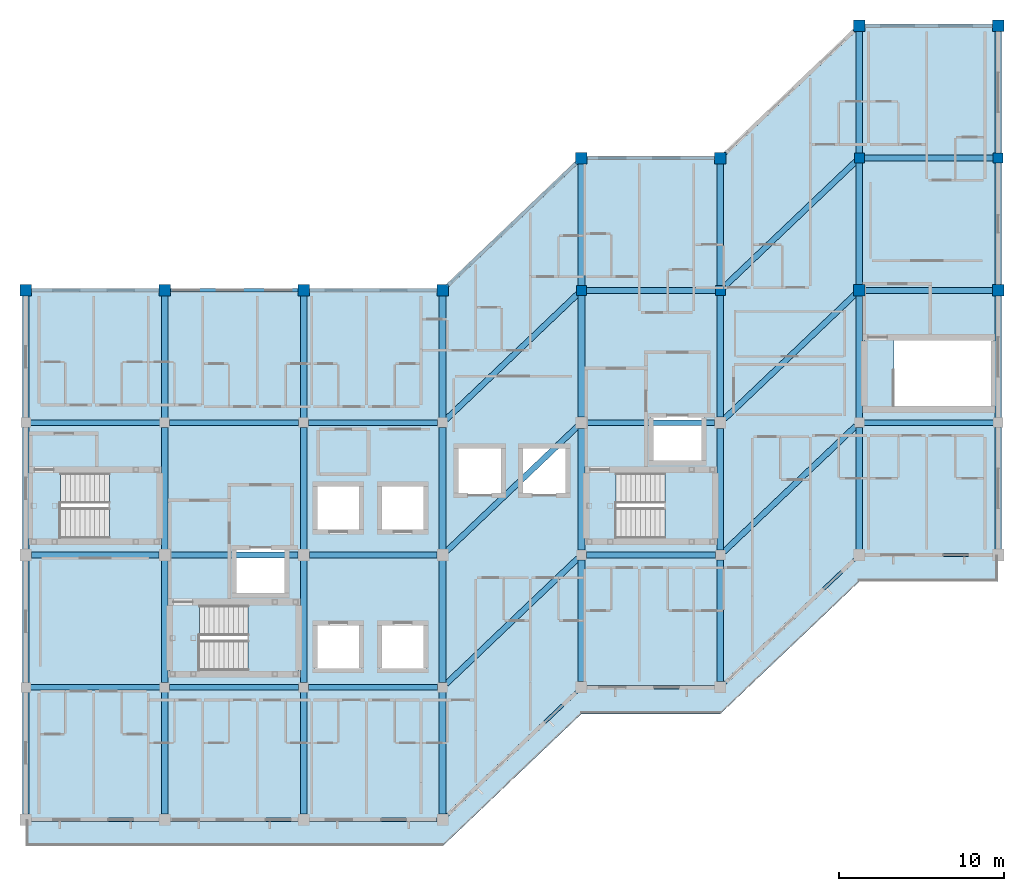
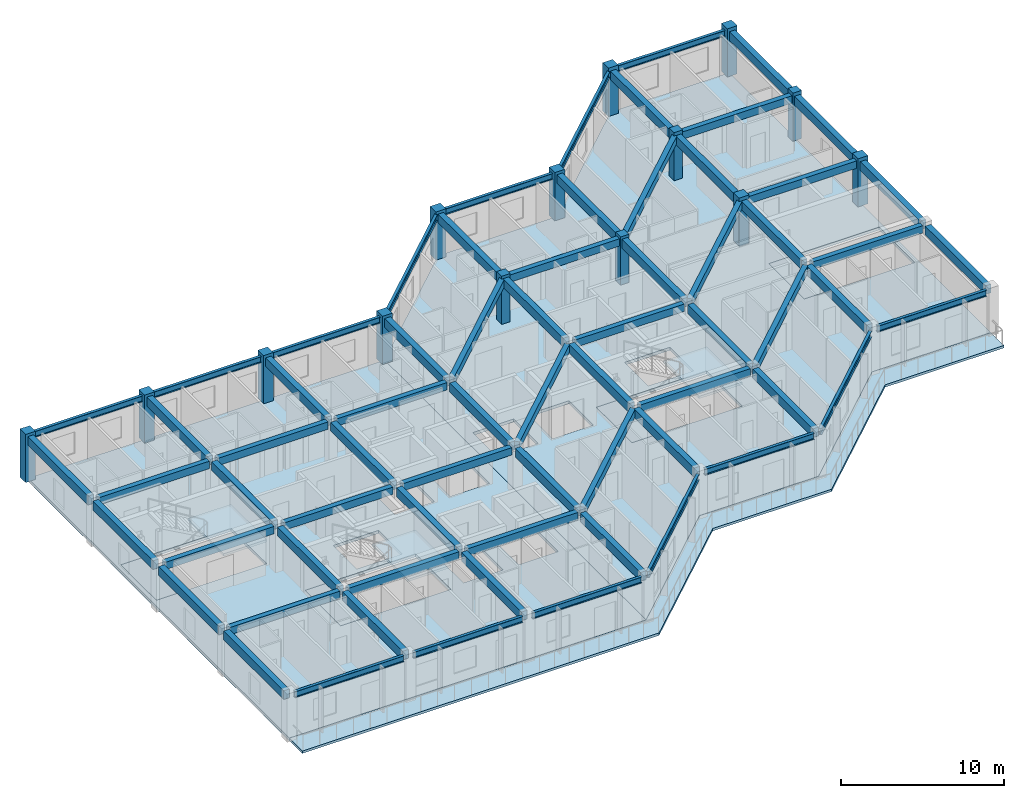
# One storey, part 3 of 15: 67 beams, 14 columns, 10 slabs, 3 elements without a shape of their own.
"""IFC4 building model written with IfcOpenShell, lengths in metres."""

from ifc_helpers import new_model, si_unit, direction, frame, origin, origin_2d, place, context, subcontext, project, spatial, polyline, rectangle, i_section, outline, extrude, material, layer, layer_set, material_profile, profile_set, type_object, element, aggregate, save


model = new_model("IFC4")

# Units and contexts
model_context = context("Model", 3, precision=1e-05, world=origin(), true_north=direction((0.0, 1.0)))
body_context = subcontext(model_context, "Body", "Model", "MODEL_VIEW")
ifc_project = project(units=[si_unit("LENGTHUNIT", "METRE"), si_unit("AREAUNIT", "SQUARE_METRE"), si_unit("VOLUMEUNIT", "CUBIC_METRE"), si_unit("PLANEANGLEUNIT", "RADIAN"), si_unit("MASSUNIT", "GRAM", prefix="KILO")], contexts=[model_context])

# Site, building, storey
site_placement = place(None, origin())
site = spatial("IfcSite", under=ifc_project, at=site_placement, CompositionType="ELEMENT")
building_placement = place(site_placement, origin())
building = spatial("IfcBuilding", under=site, at=building_placement, Name="Naruveol Harbour Congress Hotel", CompositionType="ELEMENT")
storey_placement = place(building_placement, frame((0.0, 0.0, 32.39990234375)))
storey = spatial("IfcBuildingStorey", under=building, at=storey_placement, Name="L07", CompositionType="ELEMENT", Elevation=32.39990234375)

# Columns
ifc_material_1 = material(Name="Concrete C40/50", Category="concrete")
ifc_material_profile_1 = material_profile(ifc_material_1, rectangle(XDim=0.699951171875, YDim=0.699951171875, at=origin_2d()), Name="RC-700x700")
ifc_profile_set_1 = profile_set([ifc_material_profile_1], Name="Concrete C40/50")
column_type_1 = type_object("IfcColumnType", Name="RC HOTEL COLUMN 700X700", PredefinedType="COLUMN", material=ifc_profile_set_1)
for number, where, z_axis, x_axis, name in (
    (1, (117.60009765625, 32.0, 0.0), (0.0, 0.0, 1.0), (1.0, 0.0, 0.0), "Column C-700 L07 (117.6,32.0)"),
    (2, (126.0, 32.0, 0.0), (0.0, 0.0, 1.0), (1.0, 0.0, 0.0), "Column C-700 L07 (126.0,32.0)"),
    (3, (134.39990234375, 32.0, 0.0), (0.0, 0.0, 1.0), (1.0, 0.0, 0.0), "Column C-700 L07 (134.4,32.0)"),
    (4, (142.800048828125, 32.0, 0.0), (0.0, 0.0, 1.0), (1.0, 0.0, 0.0), "Column C-700 L07 (142.8,32.0)"),
    (5, (151.199951171875, 40.0, 0.0), (0.0, 0.0, 1.0), (1.0, 0.0, 0.0), "Column C-700 L07 (151.2,40.0)"),
    (6, (159.60009765625, 40.0, 0.0), (0.0, 0.0, 1.0), (1.0, 0.0, 0.0), "Column C-700 L07 (159.6,40.0)"),
    (7, (168.0, 32.0, 0.0), (0.0, 0.0, 1.0), (1.0, 0.0, 0.0), "Column C-700 L07 (168.0,32.0)"),
    (8, (168.0, 48.0, 0.0), (0.0, 0.0, 1.0), (1.0, 0.0, 0.0), "Column C-700 L07 (168.0,48.0)"),
    (9, (176.39990234375, 32.0, 0.0), (0.0, 0.0, 1.0), (1.0, 0.0, 0.0), "Column C-700 L07 (176.4,32.0)"),
    (10, (176.39990234375, 48.0, 0.0), (0.0, 0.0, 1.0), (1.0, 0.0, 0.0), "Column C-700 L07 (176.4,48.0)"),
):
    element("IfcColumn", number, at=place(storey_placement, frame(where, z_axis=z_axis, x_axis=x_axis)), inside=storey, type_object=column_type_1, Name=name, PredefinedType="COLUMN", context=body_context, shape_type="SweptSolid", body=[
        extrude(rectangle(XDim=0.699951171875, YDim=0.699951171875, at=origin_2d()), origin(), (0.0, 0.0, 1.0), 3.60009765625),
    ])
ifc_material_2 = material(Name="Concrete C40/50", Category="concrete")
ifc_material_profile_2 = material_profile(ifc_material_2, rectangle(XDim=0.60009765625, YDim=0.60009765625, at=origin_2d()), Name="RC-600x600")
ifc_profile_set_2 = profile_set([ifc_material_profile_2], Name="Concrete C40/50")
column_type_2 = type_object("IfcColumnType", Name="RC UPPER COLUMN 600X600", PredefinedType="COLUMN", material=ifc_profile_set_2)
for number, where, z_axis, x_axis, name in (
    (11, (151.199951171875, 32.0, 0.0), (0.0, 0.0, 1.0), (1.0, 0.0, 0.0), "Planted hotel column C-600 L07 S4/J3"),
    (12, (159.60009765625, 32.0, 0.0), (0.0, 0.0, 1.0), (1.0, 0.0, 0.0), "Planted hotel column C-600 L07 S5/J3"),
    (13, (168.0, 40.0, 0.0), (0.0, 0.0, 1.0), (1.0, 0.0, 0.0), "Planted hotel column C-600 L07 S6/J3"),
    (14, (176.39990234375, 40.0, 0.0), (0.0, 0.0, 1.0), (1.0, 0.0, 0.0), "Planted hotel column C-600 L07 S7/J3"),
):
    element("IfcColumn", number, at=place(storey_placement, frame(where, z_axis=z_axis, x_axis=x_axis)), inside=storey, type_object=column_type_2, Name=name, PredefinedType="COLUMN", context=body_context, shape_type="SweptSolid", body=[
        extrude(rectangle(XDim=0.60009765625, YDim=0.60009765625, at=origin_2d()), origin(), (0.0, 0.0, 1.0), 3.60009765625),
    ])

# Beams
ifc_material_3 = material(Name="Concrete C40/50", Category="concrete")
ifc_material_profile_3 = material_profile(ifc_material_3, rectangle(XDim=0.39990234375, YDim=0.64990234375, at=origin_2d()), Name="RCB-400x650")
ifc_profile_set_3 = profile_set([ifc_material_profile_3], Name="Concrete C40/50")
beam_type_1 = type_object("IfcBeamType", Name="RC HOTEL BEAM 400X650", PredefinedType="BEAM", material=ifc_profile_set_3)
for number, where, z_axis, x_axis, name in (
    (15, (117.60009765625, 0.345947265625, 3.065185546875), (0.0, 1.0, 0.0), (-1.0, 0.0, 0.0), "Hotel transverse beam L08 CB4"),
    (16, (117.60009765625, 8.2958984375, 3.065185546875), (0.0, 1.0, 0.0), (-1.0, 0.0, 0.0), "Hotel transverse beam L08 CB4"),
    (17, (117.60009765625, 16.345947265625, 3.065185546875), (0.0, 1.0, 0.0), (-1.0, 0.0, 0.0), "Hotel transverse beam L08 CB4"),
    (18, (117.60009765625, 24.2958984375, 3.065185546875), (0.0, 1.0, 0.0), (-1.0, 0.0, 0.0), "Hotel transverse beam L08 CB4"),
    (19, (126.0, 0.345947265625, 3.065185546875), (0.0, 1.0, 0.0), (-1.0, 0.0, 0.0), "Hotel transverse beam L08 CB4"),
    (20, (126.0, 8.2958984375, 3.065185546875), (0.0, 1.0, 0.0), (-1.0, 0.0, 0.0), "Hotel transverse beam L08 CB4"),
    (21, (126.0, 16.345947265625, 3.065185546875), (0.0, 1.0, 0.0), (-1.0, 0.0, 0.0), "Hotel transverse beam L08 CB4"),
    (22, (126.0, 24.2958984375, 3.065185546875), (0.0, 1.0, 0.0), (-1.0, 0.0, 0.0), "Hotel transverse beam L08 CB4"),
    (23, (134.39990234375, 0.345947265625, 3.065185546875), (0.0, 1.0, 0.0), (-1.0, 0.0, 0.0), "Hotel transverse beam L08 CB4"),
    (24, (134.39990234375, 8.2958984375, 3.065185546875), (0.0, 1.0, 0.0), (-1.0, 0.0, 0.0), "Hotel transverse beam L08 CB4"),
    (25, (134.39990234375, 16.345947265625, 3.065185546875), (0.0, 1.0, 0.0), (-1.0, 0.0, 0.0), "Hotel transverse beam L08 CB4"),
    (26, (134.39990234375, 24.2958984375, 3.065185546875), (0.0, 1.0, 0.0), (-1.0, 0.0, 0.0), "Hotel transverse beam L08 CB4"),
    (27, (142.800048828125, 0.345947265625, 3.065185546875), (0.0, 1.0, 0.0), (-1.0, 0.0, 0.0), "Hotel transverse beam L08 CB4"),
    (28, (142.800048828125, 8.2958984375, 3.065185546875), (0.0, 1.0, 0.0), (-1.0, 0.0, 0.0), "Hotel transverse beam L08 CB4"),
    (29, (142.800048828125, 16.345947265625, 3.065185546875), (0.0, 1.0, 0.0), (-1.0, 0.0, 0.0), "Hotel transverse beam L08 CB4"),
    (30, (142.800048828125, 24.2958984375, 3.065185546875), (0.0, 1.0, 0.0), (-1.0, 0.0, 0.0), "Hotel transverse beam L08 CB4"),
    (31, (151.199951171875, 8.345947265625, 3.065185546875), (0.0, 1.0, 0.0), (-1.0, 0.0, 0.0), "Hotel transverse beam L08 CB4"),
    (32, (151.199951171875, 16.2958984375, 3.065185546875), (0.0, 1.0, 0.0), (-1.0, 0.0, 0.0), "Hotel transverse beam L08 CB4"),
    (33, (151.199951171875, 24.345947265625, 3.065185546875), (0.0, 1.0, 0.0), (-1.0, 0.0, 0.0), "Hotel transverse beam L08 CB4"),
    (34, (151.199951171875, 32.2958984375, 3.065185546875), (0.0, 1.0, 0.0), (-1.0, 0.0, 0.0), "Hotel transverse beam L08 CB4"),
    (35, (159.60009765625, 8.345947265625, 3.065185546875), (0.0, 1.0, 0.0), (-1.0, 0.0, 0.0), "Hotel transverse beam L08 CB4"),
    (36, (159.60009765625, 16.2958984375, 3.065185546875), (0.0, 1.0, 0.0), (-1.0, 0.0, 0.0), "Hotel transverse beam L08 CB4"),
    (37, (159.60009765625, 24.345947265625, 3.065185546875), (0.0, 1.0, 0.0), (-1.0, 0.0, 0.0), "Hotel transverse beam L08 CB4"),
    (38, (159.60009765625, 32.2958984375, 3.065185546875), (0.0, 1.0, 0.0), (-1.0, 0.0, 0.0), "Hotel transverse beam L08 CB4"),
    (39, (168.0, 16.345947265625, 3.01513671875), (0.0, 1.0, 0.0), (-1.0, 0.0, 0.0), "Hotel transverse beam L08 CB4"),
    (40, (168.0, 24.2958984375, 3.01513671875), (0.0, 1.0, 0.0), (-1.0, 0.0, 0.0), "Hotel transverse beam L08 CB4"),
    (41, (168.0, 32.345947265625, 3.01513671875), (0.0, 1.0, 0.0), (-1.0, 0.0, 0.0), "Hotel transverse beam L08 CB4"),
    (42, (168.0, 40.2958984375, 3.01513671875), (0.0, 1.0, 0.0), (-1.0, 0.0, 0.0), "Hotel transverse beam L08 CB4"),
    (43, (176.39990234375, 16.345947265625, 3.01513671875), (0.0, 1.0, 0.0), (-1.0, 0.0, 0.0), "Hotel transverse beam L08 CB4"),
    (44, (176.39990234375, 24.2958984375, 3.01513671875), (0.0, 1.0, 0.0), (-1.0, 0.0, 0.0), "Hotel transverse beam L08 CB4"),
    (45, (176.39990234375, 32.345947265625, 3.01513671875), (0.0, 1.0, 0.0), (-1.0, 0.0, 0.0), "Hotel transverse beam L08 CB4"),
    (46, (176.39990234375, 40.2958984375, 3.01513671875), (0.0, 1.0, 0.0), (-1.0, 0.0, 0.0), "Hotel transverse beam L08 CB4"),
):
    element("IfcBeam", number, at=place(storey_placement, frame(where, z_axis=z_axis, x_axis=x_axis)), inside=storey, type_object=beam_type_1, Name=name, PredefinedType="BEAM", context=body_context, shape_type="SweptSolid", body=[
        extrude(rectangle(XDim=0.39990234375, YDim=0.64990234375, at=origin_2d()), origin(), (0.0, 0.0, 1.0), 7.358154296875),
    ])
ifc_material_4 = material(Name="Concrete C40/50", Category="concrete")
ifc_material_profile_4 = material_profile(ifc_material_4, rectangle(XDim=0.35009765625, YDim=0.550048828125, at=origin_2d()), Name="RCB-350x550")
ifc_profile_set_4 = profile_set([ifc_material_profile_4], Name="Concrete C40/50")
beam_type_2 = type_object("IfcBeamType", Name="RC SECONDARY BEAM 350X550", PredefinedType="JOIST", material=ifc_profile_set_4)
beam_1_placement = place(storey_placement, frame((117.89599609375, 8.0, 3.114990234375), z_axis=(1.0, 0.0, 0.0), x_axis=(0.0, 1.0, 0.0)))
element("IfcBeam", 47, at=beam_1_placement, inside=storey, type_object=beam_type_2, Name="Hotel chord beam L08 CJ1", PredefinedType="JOIST", context=body_context, shape_type="SweptSolid", body=[
    extrude(rectangle(XDim=0.35009765625, YDim=0.550048828125, at=origin_2d()), origin(), (0.0, 0.0, 1.0), 7.80810546875),
])
beam_2_placement = place(storey_placement, frame((117.946044921875, 16.0, 3.114990234375), z_axis=(1.0, 0.0, 0.0), x_axis=(0.0, 1.0, 0.0)))
element("IfcBeam", 48, at=beam_2_placement, inside=storey, type_object=beam_type_2, Name="Hotel chord beam L08 CJ1", PredefinedType="JOIST", context=body_context, shape_type="SweptSolid", body=[
    extrude(rectangle(XDim=0.35009765625, YDim=0.550048828125, at=origin_2d()), origin(), (0.0, 0.0, 1.0), 7.7080078125),
])
for number, where, z_axis, x_axis, name in (
    (49, (117.89599609375, 24.0, 3.114990234375), (1.0, 0.0, 0.0), (0.0, 1.0, 0.0), "Hotel chord beam L08 CJ1"),
    (50, (126.2958984375, 8.0, 3.114990234375), (1.0, 0.0, 0.0), (0.0, 1.0, 0.0), "Hotel chord beam L08 CJ1"),
):
    element("IfcBeam", number, at=place(storey_placement, frame(where, z_axis=z_axis, x_axis=x_axis)), inside=storey, type_object=beam_type_2, Name=name, PredefinedType="JOIST", context=body_context, shape_type="SweptSolid", body=[
        extrude(rectangle(XDim=0.35009765625, YDim=0.550048828125, at=origin_2d()), origin(), (0.0, 0.0, 1.0), 7.80810546875),
    ])
beam_3_placement = place(storey_placement, frame((126.345947265625, 16.0, 3.114990234375), z_axis=(1.0, 0.0, 0.0), x_axis=(0.0, 1.0, 0.0)))
element("IfcBeam", 51, at=beam_3_placement, inside=storey, type_object=beam_type_2, Name="Hotel chord beam L08 CJ1", PredefinedType="JOIST", context=body_context, shape_type="SweptSolid", body=[
    extrude(rectangle(XDim=0.35009765625, YDim=0.550048828125, at=origin_2d()), origin(), (0.0, 0.0, 1.0), 7.7080078125),
])
beam_4_placement = place(storey_placement, frame((126.2958984375, 24.0, 3.114990234375), z_axis=(1.0, 0.0, 0.0), x_axis=(0.0, 1.0, 0.0)))
element("IfcBeam", 52, at=beam_4_placement, inside=storey, type_object=beam_type_2, Name="Hotel chord beam L08 CJ1", PredefinedType="JOIST", context=body_context, shape_type="SweptSolid", body=[
    extrude(rectangle(XDim=0.35009765625, YDim=0.550048828125, at=origin_2d()), origin(), (0.0, 0.0, 1.0), 7.80810546875),
])
beam_5_placement = place(storey_placement, frame((134.696044921875, 8.0, 3.114990234375), z_axis=(1.0, 0.0, 0.0), x_axis=(0.0, 1.0, 0.0)))
element("IfcBeam", 53, at=beam_5_placement, inside=storey, type_object=beam_type_2, Name="Hotel chord beam L08 CJ1", PredefinedType="JOIST", context=body_context, shape_type="SweptSolid", body=[
    extrude(rectangle(XDim=0.35009765625, YDim=0.550048828125, at=origin_2d()), origin(), (0.0, 0.0, 1.0), 7.807861328125),
])
beam_6_placement = place(storey_placement, frame((134.74609375, 16.0, 3.114990234375), z_axis=(1.0, 0.0, 0.0), x_axis=(0.0, 1.0, 0.0)))
element("IfcBeam", 54, at=beam_6_placement, inside=storey, type_object=beam_type_2, Name="Hotel chord beam L08 CJ1", PredefinedType="JOIST", context=body_context, shape_type="SweptSolid", body=[
    extrude(rectangle(XDim=0.35009765625, YDim=0.550048828125, at=origin_2d()), origin(), (0.0, 0.0, 1.0), 7.7080078125),
])
beam_7_placement = place(storey_placement, frame((134.696044921875, 24.0, 3.114990234375), z_axis=(1.0, 0.0, 0.0), x_axis=(0.0, 1.0, 0.0)))
element("IfcBeam", 55, at=beam_7_placement, inside=storey, type_object=beam_type_2, Name="Hotel chord beam L08 CJ1", PredefinedType="JOIST", context=body_context, shape_type="SweptSolid", body=[
    extrude(rectangle(XDim=0.35009765625, YDim=0.550048828125, at=origin_2d()), origin(), (0.0, 0.0, 1.0), 7.807861328125),
])
beam_8_placement = place(storey_placement, frame((143.014404296875, 8.2041015625, 3.114990234375), z_axis=(0.724129492057, 0.689664033231, 0.0), x_axis=(-0.689664033231, 0.724129492057, 0.0)))
element("IfcBeam", 56, at=beam_8_placement, inside=storey, type_object=beam_type_2, Name="Hotel chord beam L08 CJ1", PredefinedType="JOIST", context=body_context, shape_type="SweptSolid", body=[
    extrude(rectangle(XDim=0.35009765625, YDim=0.550048828125, at=origin_2d()), origin(), (0.0, 0.0, 1.0), 11.008056640625),
])
beam_9_placement = place(storey_placement, frame((143.050537109375, 16.238525390625, 3.114990234375), z_axis=(0.724130479369, 0.689662996578, 0.0), x_axis=(-0.689662996578, 0.724130479369, 0.0)))
element("IfcBeam", 57, at=beam_9_placement, inside=storey, type_object=beam_type_2, Name="Hotel chord beam L08 CJ1", PredefinedType="JOIST", context=body_context, shape_type="SweptSolid", body=[
    extrude(rectangle(XDim=0.35009765625, YDim=0.550048828125, at=origin_2d()), origin(), (0.0, 0.0, 1.0), 10.908203125),
])
beam_10_placement = place(storey_placement, frame((143.014404296875, 24.2041015625, 3.114990234375), z_axis=(0.724129492057, 0.689664033231, 0.0), x_axis=(-0.689664033231, 0.724129492057, 0.0)))
element("IfcBeam", 58, at=beam_10_placement, inside=storey, type_object=beam_type_2, Name="Hotel chord beam L08 CJ1", PredefinedType="JOIST", context=body_context, shape_type="SweptSolid", body=[
    extrude(rectangle(XDim=0.35009765625, YDim=0.550048828125, at=origin_2d()), origin(), (0.0, 0.0, 1.0), 11.008056640625),
])
beam_11_placement = place(storey_placement, frame((151.49609375, 16.0, 3.114990234375), z_axis=(1.0, 0.0, 0.0), x_axis=(0.0, 1.0, 0.0)))
element("IfcBeam", 59, at=beam_11_placement, inside=storey, type_object=beam_type_2, Name="Hotel chord beam L08 CJ1", PredefinedType="JOIST", context=body_context, shape_type="SweptSolid", body=[
    extrude(rectangle(XDim=0.35009765625, YDim=0.550048828125, at=origin_2d()), origin(), (0.0, 0.0, 1.0), 7.807861328125),
])
beam_12_placement = place(storey_placement, frame((151.5458984375, 24.0, 3.114990234375), z_axis=(1.0, 0.0, 0.0), x_axis=(0.0, 1.0, 0.0)))
element("IfcBeam", 60, at=beam_12_placement, inside=storey, type_object=beam_type_2, Name="Hotel chord beam L08 CJ1", PredefinedType="JOIST", context=body_context, shape_type="SweptSolid", body=[
    extrude(rectangle(XDim=0.35009765625, YDim=0.550048828125, at=origin_2d()), origin(), (0.0, 0.0, 1.0), 7.7080078125),
])
beam_13_placement = place(storey_placement, frame((151.49609375, 32.0, 3.114990234375), z_axis=(1.0, 0.0, 0.0), x_axis=(0.0, 1.0, 0.0)))
element("IfcBeam", 61, at=beam_13_placement, inside=storey, type_object=beam_type_2, Name="Hotel chord beam L08 CJ1", PredefinedType="JOIST", context=body_context, shape_type="SweptSolid", body=[
    extrude(rectangle(XDim=0.35009765625, YDim=0.550048828125, at=origin_2d()), origin(), (0.0, 0.0, 1.0), 7.807861328125),
])
beam_14_placement = place(storey_placement, frame((159.814208984375, 16.2041015625, 3.065185546875), z_axis=(0.724140040728, 0.689652957229, 0.0), x_axis=(-0.689652957229, 0.724140040728, 0.0)))
element("IfcBeam", 62, at=beam_14_placement, inside=storey, type_object=beam_type_2, Name="Hotel chord beam L08 CJ1", PredefinedType="JOIST", context=body_context, shape_type="SweptSolid", body=[
    extrude(rectangle(XDim=0.35009765625, YDim=0.550048828125, at=origin_2d()), origin(), (0.0, 0.0, 1.0), 11.008056640625),
])
beam_15_placement = place(storey_placement, frame((159.8505859375, 24.238525390625, 3.065185546875), z_axis=(0.724130479369, 0.689662996578, 0.0), x_axis=(-0.689662996578, 0.724130479369, 0.0)))
element("IfcBeam", 63, at=beam_15_placement, inside=storey, type_object=beam_type_2, Name="Hotel chord beam L08 CJ1", PredefinedType="JOIST", context=body_context, shape_type="SweptSolid", body=[
    extrude(rectangle(XDim=0.35009765625, YDim=0.550048828125, at=origin_2d()), origin(), (0.0, 0.0, 1.0), 10.908203125),
])
beam_16_placement = place(storey_placement, frame((159.814208984375, 32.2041015625, 3.065185546875), z_axis=(0.724140040728, 0.689652957229, 0.0), x_axis=(-0.689652957229, 0.724140040728, 0.0)))
element("IfcBeam", 64, at=beam_16_placement, inside=storey, type_object=beam_type_2, Name="Hotel chord beam L08 CJ1", PredefinedType="JOIST", context=body_context, shape_type="SweptSolid", body=[
    extrude(rectangle(XDim=0.35009765625, YDim=0.550048828125, at=origin_2d()), origin(), (0.0, 0.0, 1.0), 11.008056640625),
])
beam_17_placement = place(storey_placement, frame((168.2958984375, 24.0, 3.065185546875), z_axis=(1.0, 0.0, 0.0), x_axis=(0.0, 1.0, 0.0)))
element("IfcBeam", 65, at=beam_17_placement, inside=storey, type_object=beam_type_2, Name="Hotel chord beam L08 CJ1", PredefinedType="JOIST", context=body_context, shape_type="SweptSolid", body=[
    extrude(rectangle(XDim=0.35009765625, YDim=0.550048828125, at=origin_2d()), origin(), (0.0, 0.0, 1.0), 7.80810546875),
])
beam_18_placement = place(storey_placement, frame((168.345947265625, 32.0, 3.065185546875), z_axis=(1.0, 0.0, 0.0), x_axis=(0.0, 1.0, 0.0)))
element("IfcBeam", 66, at=beam_18_placement, inside=storey, type_object=beam_type_2, Name="Hotel chord beam L08 CJ1", PredefinedType="JOIST", context=body_context, shape_type="SweptSolid", body=[
    extrude(rectangle(XDim=0.35009765625, YDim=0.550048828125, at=origin_2d()), origin(), (0.0, 0.0, 1.0), 7.7080078125),
])
beam_19_placement = place(storey_placement, frame((168.2958984375, 40.0, 3.065185546875), z_axis=(1.0, 0.0, 0.0), x_axis=(0.0, 1.0, 0.0)))
element("IfcBeam", 67, at=beam_19_placement, inside=storey, type_object=beam_type_2, Name="Hotel chord beam L08 CJ1", PredefinedType="JOIST", context=body_context, shape_type="SweptSolid", body=[
    extrude(rectangle(XDim=0.35009765625, YDim=0.550048828125, at=origin_2d()), origin(), (0.0, 0.0, 1.0), 7.80810546875),
])
ifc_material_5 = material(Name="Steel SN490", Category="steel")
ifc_material_profile_5 = material_profile(ifc_material_5, i_section(OverallWidth=0.199951171875, OverallDepth=0.449951171875, WebThickness=0.009033203125, FlangeThickness=0.013916015625, at=origin_2d()), Name="H-450x200x9x14")
ifc_profile_set_5 = profile_set([ifc_material_profile_5], Name="Steel SN490")
beam_type_3 = type_object("IfcBeamType", Name="STEEL SPANDREL EDGE BEAM H450", PredefinedType="SPANDREL", material=ifc_profile_set_5)
for number, where, z_axis, x_axis, name in (
    (68, (117.946044921875, 0.0, 3.1650390625), (1.0, 0.0, 0.0), (0.0, 1.0, 0.0), "Hotel chord beam L08 SPB2"),
    (69, (117.946044921875, 32.0, 3.1650390625), (1.0, 0.0, 0.0), (0.0, 1.0, 0.0), "Hotel chord beam L08 SPB2"),
    (70, (126.345947265625, 0.0, 3.1650390625), (1.0, 0.0, 0.0), (0.0, 1.0, 0.0), "Hotel chord beam L08 SPB2"),
    (71, (126.345947265625, 32.0, 3.1650390625), (1.0, 0.0, 0.0), (0.0, 1.0, 0.0), "Hotel chord beam L08 SPB2"),
    (72, (134.74609375, 0.0, 3.1650390625), (1.0, 0.0, 0.0), (0.0, 1.0, 0.0), "Hotel chord beam L08 SPB2"),
    (73, (134.74609375, 32.0, 3.1650390625), (1.0, 0.0, 0.0), (0.0, 1.0, 0.0), "Hotel chord beam L08 SPB2"),
):
    element("IfcBeam", number, at=place(storey_placement, frame(where, z_axis=z_axis, x_axis=x_axis)), inside=storey, type_object=beam_type_3, Name=name, PredefinedType="SPANDREL", context=body_context, shape_type="SweptSolid", body=[
        extrude(i_section(OverallWidth=0.199951171875, OverallDepth=0.449951171875, WebThickness=0.009033203125, FlangeThickness=0.013916015625, at=origin_2d()), origin(), (0.0, 0.0, 1.0), 7.7080078125),
    ])
for number, where, z_axis, x_axis, name in (
    (74, (143.050537109375, 0.238525390625, 3.1650390625), (0.724130479369, 0.689662996578, 0.0), (-0.689662996578, 0.724130479369, 0.0), "Hotel chord beam L08 SPB2"),
    (75, (143.050537109375, 32.238525390625, 3.1650390625), (0.724130479369, 0.689662996578, 0.0), (-0.689662996578, 0.724130479369, 0.0), "Hotel chord beam L08 SPB2"),
):
    element("IfcBeam", number, at=place(storey_placement, frame(where, z_axis=z_axis, x_axis=x_axis)), inside=storey, type_object=beam_type_3, Name=name, PredefinedType="SPANDREL", context=body_context, shape_type="SweptSolid", body=[
        extrude(i_section(OverallWidth=0.199951171875, OverallDepth=0.449951171875, WebThickness=0.009033203125, FlangeThickness=0.013916015625, at=origin_2d()), origin(), (0.0, 0.0, 1.0), 10.908203125),
    ])
for number, where, z_axis, x_axis, name in (
    (76, (151.5458984375, 8.0, 3.1650390625), (1.0, 0.0, 0.0), (0.0, 1.0, 0.0), "Hotel chord beam L08 SPB2"),
    (77, (151.5458984375, 40.0, 3.1650390625), (1.0, 0.0, 0.0), (0.0, 1.0, 0.0), "Hotel chord beam L08 SPB2"),
):
    element("IfcBeam", number, at=place(storey_placement, frame(where, z_axis=z_axis, x_axis=x_axis)), inside=storey, type_object=beam_type_3, Name=name, PredefinedType="SPANDREL", context=body_context, shape_type="SweptSolid", body=[
        extrude(i_section(OverallWidth=0.199951171875, OverallDepth=0.449951171875, WebThickness=0.009033203125, FlangeThickness=0.013916015625, at=origin_2d()), origin(), (0.0, 0.0, 1.0), 7.7080078125),
    ])
for number, where, z_axis, x_axis, name in (
    (78, (159.8505859375, 8.238525390625, 3.114990234375), (0.724130479369, 0.689662996578, 0.0), (-0.689662996578, 0.724130479369, 0.0), "Hotel chord beam L08 SPB2"),
    (79, (159.8505859375, 40.238525390625, 3.114990234375), (0.724130479369, 0.689662996578, 0.0), (-0.689662996578, 0.724130479369, 0.0), "Hotel chord beam L08 SPB2"),
):
    element("IfcBeam", number, at=place(storey_placement, frame(where, z_axis=z_axis, x_axis=x_axis)), inside=storey, type_object=beam_type_3, Name=name, PredefinedType="SPANDREL", context=body_context, shape_type="SweptSolid", body=[
        extrude(i_section(OverallWidth=0.199951171875, OverallDepth=0.449951171875, WebThickness=0.009033203125, FlangeThickness=0.013916015625, at=origin_2d()), origin(), (0.0, 0.0, 1.0), 10.908203125),
    ])
for number, where, z_axis, x_axis, name in (
    (80, (168.345947265625, 16.0, 3.114990234375), (1.0, 0.0, 0.0), (0.0, 1.0, 0.0), "Hotel chord beam L08 SPB2"),
    (81, (168.345947265625, 48.0, 3.114990234375), (1.0, 0.0, 0.0), (0.0, 1.0, 0.0), "Hotel chord beam L08 SPB2"),
):
    element("IfcBeam", number, at=place(storey_placement, frame(where, z_axis=z_axis, x_axis=x_axis)), inside=storey, type_object=beam_type_3, Name=name, PredefinedType="SPANDREL", context=body_context, shape_type="SweptSolid", body=[
        extrude(i_section(OverallWidth=0.199951171875, OverallDepth=0.449951171875, WebThickness=0.009033203125, FlangeThickness=0.013916015625, at=origin_2d()), origin(), (0.0, 0.0, 1.0), 7.7080078125),
    ])

# Slabs
ifc_material_6 = material(Name="Concrete C40/50", Category="concrete")
ifc_layer_1 = layer(ifc_material_6, 0.219970703125)
ifc_layer_set_1 = layer_set([ifc_layer_1], Name="Concrete C40/50")
slab_type_1 = type_object("IfcSlabType", Name="RC HOTEL LOWER FLOOR SLAB 220", PredefinedType="FLOOR", material=ifc_layer_set_1)
slab_1_placement = place(storey_placement, frame((0.0, 0.0, -0.219970703125)))
element("IfcSlab", 82, at=slab_1_placement, inside=storey, type_object=slab_type_1, Name="Level L07 Hotel W S-curve floor slab", PredefinedType="FLOOR", context=body_context, shape_type="SweptSolid", body=[
    extrude(outline(polyline([(117.60009765625, 0.0), (126.0, 0.0), (134.39990234375, 0.0), (142.800048828125, 0.0), (142.800048828125, 32.0), (134.39990234375, 32.0), (126.0, 32.0), (117.60009765625, 32.0), (117.60009765625, 0.0)]), holes=[polyline([(126.300048828125, 8.800048828125), (134.10009765625, 8.800048828125), (134.10009765625, 13.159912109375), (126.300048828125, 13.159912109375), (126.300048828125, 8.800048828125)]), polyline([(117.89990234375, 16.800048828125), (125.699951171875, 16.800048828125), (125.699951171875, 21.159912109375), (117.89990234375, 21.159912109375), (117.89990234375, 16.800048828125)]), polyline([(135.10009765625, 17.39990234375), (137.89990234375, 17.39990234375), (137.89990234375, 20.300048828125), (135.10009765625, 20.300048828125), (135.10009765625, 17.39990234375)]), polyline([(139.0, 17.39990234375), (141.800048828125, 17.39990234375), (141.800048828125, 20.300048828125), (139.0, 20.300048828125), (139.0, 17.39990234375)]), polyline([(135.10009765625, 9.0), (137.89990234375, 9.0), (137.89990234375, 11.89990234375), (135.10009765625, 11.89990234375), (135.10009765625, 9.0)]), polyline([(139.0, 9.0), (141.800048828125, 9.0), (141.800048828125, 11.89990234375), (139.0, 11.89990234375), (139.0, 9.0)]), polyline([(130.199951171875, 13.550048828125), (133.39990234375, 13.550048828125), (133.39990234375, 16.449951171875), (130.199951171875, 16.449951171875), (130.199951171875, 13.550048828125)])]), origin(), (0.0, 0.0, 1.0), 0.219970703125),
])
slab_2_placement = place(storey_placement, frame((0.0, 0.0, -0.219970703125)))
element("IfcSlab", 83, at=slab_2_placement, inside=storey, type_object=slab_type_1, Name="Level L07 Hotel E S-curve floor slab", PredefinedType="FLOOR", context=body_context, shape_type="SweptSolid", body=[
    extrude(outline(polyline([(142.800048828125, 0.0), (151.199951171875, 8.0), (159.60009765625, 8.0), (168.0, 16.0), (176.39990234375, 16.0), (176.39990234375, 48.0), (168.0, 48.0), (159.60009765625, 40.0), (151.199951171875, 40.0), (142.800048828125, 32.0), (142.800048828125, 0.0)]), holes=[polyline([(151.5, 16.800048828125), (159.300048828125, 16.800048828125), (159.300048828125, 21.159912109375), (151.5, 21.159912109375), (151.5, 16.800048828125)]), polyline([(168.300048828125, 24.800048828125), (176.10009765625, 24.800048828125), (176.10009765625, 29.159912109375), (168.300048828125, 29.159912109375), (168.300048828125, 24.800048828125)]), polyline([(155.39990234375, 21.550048828125), (158.60009765625, 21.550048828125), (158.60009765625, 24.449951171875), (155.39990234375, 24.449951171875), (155.39990234375, 21.550048828125)]), polyline([(143.60009765625, 19.60009765625), (146.5, 19.60009765625), (146.5, 22.60009765625), (143.60009765625, 22.60009765625), (143.60009765625, 19.60009765625)]), polyline([(147.5, 19.60009765625), (150.39990234375, 19.60009765625), (150.39990234375, 22.60009765625), (147.5, 22.60009765625), (147.5, 19.60009765625)])]), origin(), (0.0, 0.0, 1.0), 0.219970703125),
])
ifc_material_7 = material(Name="Concrete C40/50", Category="concrete")
ifc_layer_2 = layer(ifc_material_7, 0.179931640625)
ifc_layer_set_2 = layer_set([ifc_layer_2], Name="Concrete C40/50")
slab_type_2 = type_object("IfcSlabType", Name="RC STAIR HALF LANDING SLAB 180", PredefinedType="LANDING", material=ifc_layer_set_2)
slab_3_placement = place(storey_placement, frame((0.0, 0.0, -0.179931640625)))
element("IfcSlab", 84, at=slab_3_placement, inside=storey, type_object=slab_type_2, Name="Stair ST1 L07 floor landing", PredefinedType="LANDING", context=body_context, shape_type="SweptSolid", body=[
    extrude(outline(polyline([(126.300048828125, 8.800048828125), (128.10009765625, 8.800048828125), (128.10009765625, 13.159912109375), (126.300048828125, 13.159912109375), (126.300048828125, 8.800048828125)])), origin(), (0.0, 0.0, 1.0), 0.179931640625),
])

# Stair, slab
ifc_material_8 = material(Name="Concrete C40/50", Category="concrete")
stair_type = type_object("IfcStairType", Name="RC DOG LEG ESCAPE STAIR 1800W H3600", PredefinedType="HALF_TURN_STAIR", material=ifc_material_8)
stair_1_placement = place(storey_placement, origin())
stair_1 = element("IfcStair", 85, at=stair_1_placement, inside=storey, type_object=stair_type, Name="Special Escape Stair ST1 L07 to L08", PredefinedType="HALF_TURN_STAIR")
slab_4_placement = place(storey_placement, frame((0.0, 0.0, 1.6201171875)))
slab_4 = element("IfcSlab", 86, at=slab_4_placement, type_object=slab_type_2, Name="ST1 L07 half landing", PredefinedType="LANDING", context=body_context, shape_type="SweptSolid", body=[
    extrude(outline(polyline([(131.050048828125, 8.800048828125), (134.10009765625, 8.800048828125), (134.10009765625, 13.159912109375), (131.050048828125, 13.159912109375), (131.050048828125, 8.800048828125)])), origin(), (0.0, 0.0, 1.0), 0.179931640625),
])
aggregate(stair_1, [slab_4])

# Slab
slab_5_placement = place(storey_placement, frame((0.0, 0.0, -0.179931640625)))
element("IfcSlab", 87, at=slab_5_placement, inside=storey, type_object=slab_type_2, Name="Stair ST2 L07 floor landing", PredefinedType="LANDING", context=body_context, shape_type="SweptSolid", body=[
    extrude(outline(polyline([(151.5, 16.800048828125), (153.300048828125, 16.800048828125), (153.300048828125, 21.159912109375), (151.5, 21.159912109375), (151.5, 16.800048828125)])), origin(), (0.0, 0.0, 1.0), 0.179931640625),
])

# Stair, slab
stair_2_placement = place(storey_placement, origin())
stair_2 = element("IfcStair", 88, at=stair_2_placement, inside=storey, type_object=stair_type, Name="Special Escape Stair ST2 L07 to L08", PredefinedType="HALF_TURN_STAIR")
slab_6_placement = place(storey_placement, frame((0.0, 0.0, 1.6201171875)))
slab_6 = element("IfcSlab", 89, at=slab_6_placement, type_object=slab_type_2, Name="ST2 L07 half landing", PredefinedType="LANDING", context=body_context, shape_type="SweptSolid", body=[
    extrude(outline(polyline([(156.25, 16.800048828125), (159.300048828125, 16.800048828125), (159.300048828125, 21.159912109375), (156.25, 21.159912109375), (156.25, 16.800048828125)])), origin(), (0.0, 0.0, 1.0), 0.179931640625),
])
aggregate(stair_2, [slab_6])

# Slab
slab_7_placement = place(storey_placement, frame((0.0, 0.0, -0.179931640625)))
element("IfcSlab", 90, at=slab_7_placement, inside=storey, type_object=slab_type_2, Name="Stair ST3 L07 floor landing", PredefinedType="LANDING", context=body_context, shape_type="SweptSolid", body=[
    extrude(outline(polyline([(117.89990234375, 16.800048828125), (119.699951171875, 16.800048828125), (119.699951171875, 21.159912109375), (117.89990234375, 21.159912109375), (117.89990234375, 16.800048828125)])), origin(), (0.0, 0.0, 1.0), 0.179931640625),
])

# Stair, slab
stair_3_placement = place(storey_placement, origin())
stair_3 = element("IfcStair", 91, at=stair_3_placement, inside=storey, type_object=stair_type, Name="Special Escape Stair ST3 L07 to L08", PredefinedType="HALF_TURN_STAIR")
slab_8_placement = place(storey_placement, frame((0.0, 0.0, 1.6201171875)))
slab_8 = element("IfcSlab", 92, at=slab_8_placement, type_object=slab_type_2, Name="ST3 L07 half landing", PredefinedType="LANDING", context=body_context, shape_type="SweptSolid", body=[
    extrude(outline(polyline([(122.64990234375, 16.800048828125), (125.699951171875, 16.800048828125), (125.699951171875, 21.159912109375), (122.64990234375, 21.159912109375), (122.64990234375, 16.800048828125)])), origin(), (0.0, 0.0, 1.0), 0.179931640625),
])
aggregate(stair_3, [slab_8])

# Slabs
slab_9_placement = place(storey_placement, frame((0.0, 0.0, -0.179931640625)))
element("IfcSlab", 93, at=slab_9_placement, inside=storey, type_object=slab_type_2, Name="Stair ST4 L07 floor landing", PredefinedType="LANDING", context=body_context, shape_type="SweptSolid", body=[
    extrude(outline(polyline([(168.300048828125, 24.800048828125), (170.10009765625, 24.800048828125), (170.10009765625, 29.159912109375), (168.300048828125, 29.159912109375), (168.300048828125, 24.800048828125)])), origin(), (0.0, 0.0, 1.0), 0.179931640625),
])
ifc_material_9 = material(Name="Concrete C40/50", Category="concrete")
ifc_layer_3 = layer(ifc_material_9, 0.179931640625)
ifc_layer_set_3 = layer_set([ifc_layer_3], Name="Concrete C40/50")
slab_type_3 = type_object("IfcSlabType", Name="RC TERRACE AND LANDING SLAB 180", PredefinedType="FLOOR", material=ifc_layer_set_3)
slab_10_placement = place(storey_placement, frame((0.0, 0.0, -0.179931640625)))
element("IfcSlab", 94, at=slab_10_placement, inside=storey, type_object=slab_type_3, Name="Level L07 Harbourfront brise-soleil balcony", PredefinedType="FLOOR", context=body_context, shape_type="SweptSolid", body=[
    extrude(outline(polyline([(117.60009765625, -1.60009765625), (126.0, -1.60009765625), (134.39990234375, -1.60009765625), (142.800048828125, -1.60009765625), (151.199951171875, 6.39990234375), (159.60009765625, 6.39990234375), (168.0, 14.39990234375), (176.39990234375, 14.39990234375), (176.39990234375, 15.9951171875), (168.0, 15.9951171875), (159.60009765625, 7.9951171875), (151.199951171875, 7.9951171875), (142.800048828125, -0.0048828125), (134.39990234375, -0.0048828125), (126.0, -0.0048828125), (117.60009765625, -0.0048828125), (117.60009765625, -1.60009765625)])), origin(), (0.0, 0.0, 1.0), 0.179931640625),
])

save(model, "model.ifc")
